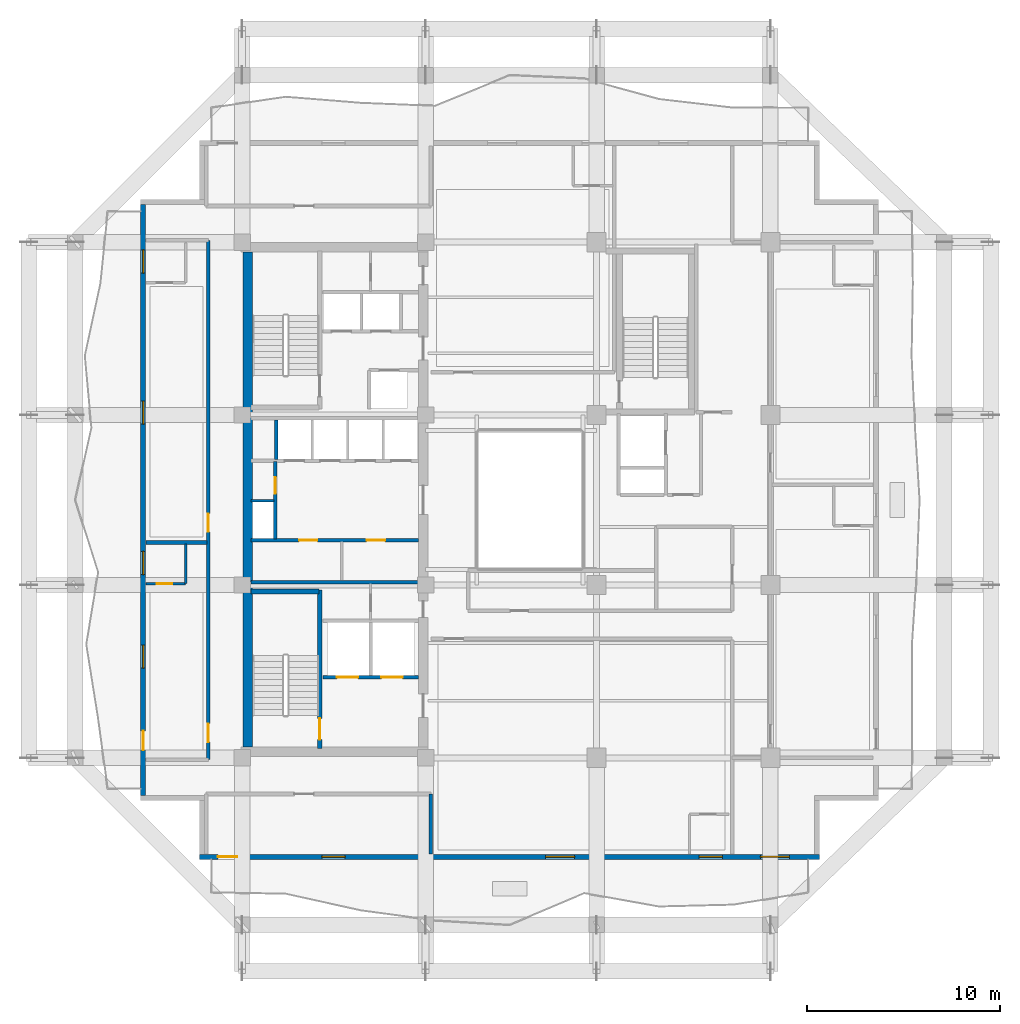
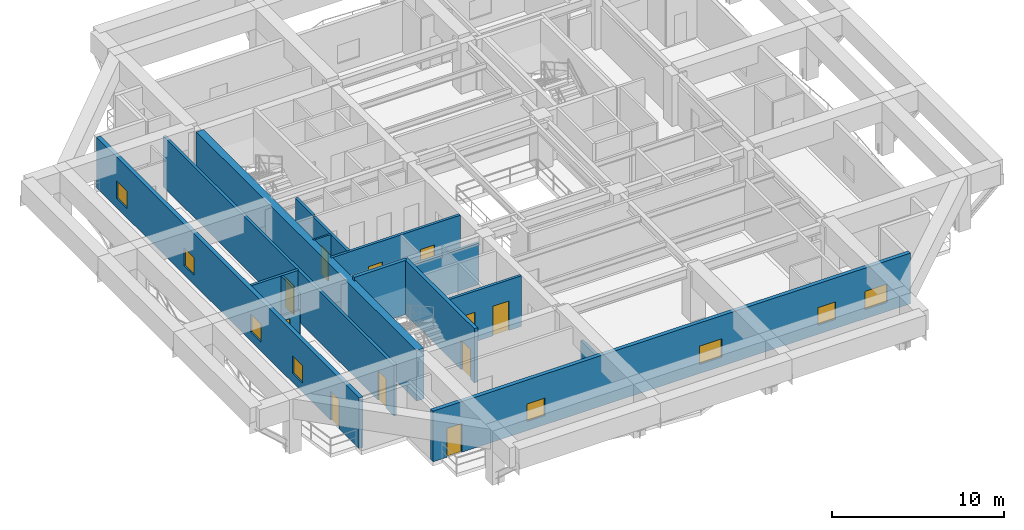
# One storey, part 3 of 11: 16 walls, 11 doors, 8 windows, 19 openings.
"""IFC4 building model written with IfcOpenShell, lengths in metres."""

from ifc_helpers import new_model, si_unit, direction, frame, frame_2d, origin, place, context, subcontext, project, spatial, rectangle, extrude, material, layer, layer_set, type_object, element, fill, save


model = new_model("IFC4")

# Units and contexts
model_context = context("Model", 3, precision=1e-05, world=origin(), true_north=direction((0.0, 1.0)))
body_context = subcontext(model_context, "Body", "Model", "MODEL_VIEW")
ifc_project = project(units=[si_unit("LENGTHUNIT", "METRE"), si_unit("AREAUNIT", "SQUARE_METRE"), si_unit("VOLUMEUNIT", "CUBIC_METRE"), si_unit("PLANEANGLEUNIT", "RADIAN"), si_unit("MASSUNIT", "GRAM", prefix="KILO")], contexts=[model_context])

# Site, building, storey
site_placement = place(None, origin())
site = spatial("IfcSite", under=ifc_project, at=site_placement, CompositionType="ELEMENT")
building_placement = place(site_placement, origin())
building = spatial("IfcBuilding", under=site, at=building_placement, Name="Kundavana Baori Tower", CompositionType="ELEMENT")
storey_placement = place(building_placement, frame((0.0, 0.0, 154.050048828125)))
storey = spatial("IfcBuildingStorey", under=building, at=storey_placement, Name="L37", CompositionType="ELEMENT", Elevation=154.050048828125)

# Wall, opening, door
ifc_material_1 = material(Name="Concrete C50/60", Category="concrete")
ifc_layer_1 = layer(ifc_material_1, 0.39990234375, Name="WL-CORE-400")
ifc_layer_set_1 = layer_set([ifc_layer_1], Name="Concrete C50/60")
wall_type_1 = type_object("IfcWallType", Name="WL-CORE-400", PredefinedType="SHEAR", material=ifc_layer_set_1)
wall_1_placement = place(storey_placement, frame((19.4599609375, 15.739990234375, 0.0), z_axis=(0.0, 0.0, 1.0), x_axis=(0.0, 1.0, 0.0)))
wall_1 = element("IfcWall", 1, at=wall_1_placement, inside=storey, type_object=wall_type_1, Name="WL-L37-ST1-E", PredefinedType="SHEAR", context=body_context, shape_type="SweptSolid", body=[
    extrude(rectangle(XDim=8.199951171875, YDim=0.239990234375, at=frame_2d((4.10009765625, 0.0))), origin(), (0.0, 0.0, 1.0), 3.849853515625),
])
opening_1_placement = place(wall_1_placement, frame((0.449951171875, 0.0, 0.0)))
opening_1 = element("IfcOpeningElement", 2, at=opening_1_placement, cuts=wall_1, Name="Opening FD-110", PredefinedType="OPENING", context=body_context, shape_type="SweptSolid", body=[
    extrude(rectangle(XDim=1.10009765625, YDim=2.10009765625, at=frame_2d((0.550048828125, 1.050048828125))), frame((0.0, 0.1298828125, 0.0), z_axis=(0.0, -1.0, 0.0), x_axis=(1.0, 0.0, 0.0)), (0.0, 0.0, 1.0), 0.260009765625),
])
ifc_material_2 = material(Name="Galvanised Steel Fire-Rated Door Leaf", Category="steel")
door_type_1 = type_object("IfcDoorType", Name="DR-FD120-1100", OperationType="NOTDEFINED", PredefinedType="DOOR", material=ifc_material_2)
door_1_placement = place(opening_1_placement, origin())
door_1 = element("IfcDoor", 3, at=door_1_placement, inside=storey, type_object=door_type_1, Name="DR-L37-ST1", OperationType="SINGLE_SWING_LEFT", OverallHeight=2.10009765625, OverallWidth=1.10009765625, PredefinedType="DOOR", context=body_context, shape_type="SweptSolid", body=[
    extrude(rectangle(XDim=1.10009765625, YDim=2.10009765625, at=frame_2d((0.550048828125, 1.050048828125))), frame((0.0, 0.02490234375, 0.0), z_axis=(0.0, -1.0, 0.0), x_axis=(1.0, 0.0, 0.0)), (0.0, 0.0, 1.0), 0.050048828125),
])
fill(opening_1, door_1)

# Walls
wall_2_placement = place(storey_placement, frame((15.89990234375, 23.860107421875, 0.0), z_axis=(0.0, 0.0, 1.0), x_axis=(1.0, 0.0, 0.0)))
element("IfcWall", 4, at=wall_2_placement, inside=storey, type_object=wall_type_1, Name="WL-L37-ST1-N", PredefinedType="SHEAR", context=body_context, shape_type="SweptSolid", body=[
    extrude(rectangle(XDim=3.52001953125, YDim=0.239990234375, at=frame_2d((1.760009765625, 0.0))), origin(), (0.0, 0.0, 1.0), 3.849853515625),
])
ifc_material_3 = material(Name="Concrete C50/60", Category="concrete")
ifc_layer_2 = layer(ifc_material_3, 0.5, Name="WL-CORE-500")
ifc_layer_set_2 = layer_set([ifc_layer_2], Name="Concrete C50/60")
wall_type_2 = type_object("IfcWallType", Name="WL-CORE-500", PredefinedType="SHEAR", material=ifc_layer_set_2)
wall_3_placement = place(storey_placement, frame((15.739990234375, 15.81005859375, 0.0), z_axis=(0.0, 0.0, 1.0), x_axis=(0.0, 1.0, 0.0)))
element("IfcWall", 5, at=wall_3_placement, inside=storey, type_object=wall_type_2, Name="L37 Offset Core West Shear Wall", PredefinedType="SHEAR", context=body_context, shape_type="SweptSolid", body=[
    extrude(rectangle(XDim=25.6298828125, YDim=0.5, at=frame_2d((12.81494140625, 0.0))), origin(), (0.0, 0.0, 1.0), 3.599853515625),
])

# Wall, openings, door, windows
ifc_material_4 = material(Name="Kiln-Fired Terracotta Brick-Slip Masonry on Concrete C40/50", Category="masonry")
ifc_layer_3 = layer(ifc_material_4, 0.260009765625, Name="WL-EXT-BRK-260")
ifc_layer_set_3 = layer_set([ifc_layer_3], Name="Kiln-Fired Terracotta Brick-Slip Masonry on Concrete C40/50")
wall_type_3 = type_object("IfcWallType", Name="WL-EXT-BRK-260", PredefinedType="SOLIDWALL", material=ifc_layer_set_3)
wall_4_placement = place(storey_placement, frame((13.25, 10.1298828125, 0.0), z_axis=(0.0, 0.0, 1.0), x_axis=(1.0, 0.0, 0.0)))
wall_4 = element("IfcWall", 6, at=wall_4_placement, inside=storey, type_object=wall_type_3, Name="L37 Exterior Insulated Facade Wall 01", PredefinedType="SOLIDWALL", context=body_context, shape_type="SweptSolid", body=[
    extrude(rectangle(XDim=32.10009765625, YDim=0.260009765625, at=frame_2d((16.050048828125, 0.0))), origin(), (0.0, 0.0, 1.0), 3.599853515625),
])
opening_2_placement = place(wall_4_placement, frame((0.949951171875, 0.0, 0.0)))
opening_2 = element("IfcOpeningElement", 7, at=opening_2_placement, cuts=wall_4, Name="Opening BD-1", PredefinedType="OPENING", context=body_context, shape_type="SweptSolid", body=[
    extrude(rectangle(XDim=1.0, YDim=2.050048828125, at=frame_2d((0.5, 1.02490234375))), frame((0.0, 0.14013671875, 0.0), z_axis=(0.0, -1.0, 0.0), x_axis=(1.0, 0.0, 0.0)), (0.0, 0.0, 1.0), 0.280029296875),
])
opening_3_placement = place(wall_4_placement, frame((6.330078125, 0.0, 0.64990234375)))
opening_3 = element("IfcOpeningElement", 8, at=opening_3_placement, cuts=wall_4, Name="Opening W-12", PredefinedType="OPENING", context=body_context, shape_type="SweptSolid", body=[
    extrude(rectangle(XDim=1.199951171875, YDim=1.25, at=frame_2d((0.60009765625, 0.625))), frame((0.0, 0.14013671875, 0.0), z_axis=(0.0, -1.0, 0.0), x_axis=(1.0, 0.0, 0.0)), (0.0, 0.0, 1.0), 0.280029296875),
])
opening_4_placement = place(wall_4_placement, frame((17.9150390625, 0.0, 0.64990234375)))
opening_4 = element("IfcOpeningElement", 9, at=opening_4_placement, cuts=wall_4, Name="Opening W-11", PredefinedType="OPENING", context=body_context, shape_type="SweptSolid", body=[
    extrude(rectangle(XDim=1.5, YDim=1.300048828125, at=frame_2d((0.75, 0.64990234375))), frame((0.0, 0.14013671875, 0.0), z_axis=(0.0, -1.0, 0.0), x_axis=(1.0, 0.0, 0.0)), (0.0, 0.0, 1.0), 0.280029296875),
])
opening_5_placement = place(wall_4_placement, frame((25.864990234375, 0.0, 0.64990234375)))
opening_5 = element("IfcOpeningElement", 10, at=opening_5_placement, cuts=wall_4, Name="Opening W-12", PredefinedType="OPENING", context=body_context, shape_type="SweptSolid", body=[
    extrude(rectangle(XDim=1.199951171875, YDim=1.25, at=frame_2d((0.60009765625, 0.625))), frame((0.0, 0.14013671875, 0.0), z_axis=(0.0, -1.0, 0.0), x_axis=(1.0, 0.0, 0.0)), (0.0, 0.0, 1.0), 0.280029296875),
])
opening_6_placement = place(wall_4_placement, frame((29.030029296875, 0.0, 0.64990234375)))
opening_6 = element("IfcOpeningElement", 11, at=opening_6_placement, cuts=wall_4, Name="Opening W-11", PredefinedType="OPENING", context=body_context, shape_type="SweptSolid", body=[
    extrude(rectangle(XDim=1.5, YDim=1.300048828125, at=frame_2d((0.75, 0.64990234375))), frame((0.0, 0.14013671875, 0.0), z_axis=(0.0, -1.0, 0.0), x_axis=(1.0, 0.0, 0.0)), (0.0, 0.0, 1.0), 0.280029296875),
])
ifc_material_5 = material(Name="Architectural Patinated Bronze Metalwork")
door_type_2 = type_object("IfcDoorType", Name="DR-EXT-LOG-1000", OperationType="NOTDEFINED", PredefinedType="DOOR", material=ifc_material_5)
door_2_placement = place(opening_2_placement, frame((1.0, 0.0, 0.0), z_axis=(0.0, 0.0, 1.0), x_axis=(-1.0, 0.0, 0.0)))
door_2 = element("IfcDoor", 12, at=door_2_placement, inside=storey, type_object=door_type_2, Name="L37 Loggia Balcony Access Door S", OperationType="SINGLE_SWING_LEFT", OverallHeight=2.050048828125, OverallWidth=1.0, PredefinedType="DOOR", context=body_context, shape_type="SweptSolid", body=[
    extrude(rectangle(XDim=1.0, YDim=2.050048828125, at=frame_2d((0.5, 1.02490234375))), frame((0.0, 0.02490234375, 0.0), z_axis=(0.0, -1.0, 0.0), x_axis=(1.0, 0.0, 0.0)), (0.0, 0.0, 1.0), 0.050048828125),
])
fill(opening_2, door_2)
ifc_material_6 = material(Name="Double-Glazed Solar-Control Low-E Insulated Glass", Category="glass")
window_type_1 = type_object("IfcWindowType", Name="WIN-TRN-1200x1250", PartitioningType="SINGLE_PANEL", PredefinedType="WINDOW", material=ifc_material_6)
window_1_placement = place(opening_3_placement, origin())
window_1 = element("IfcWindow", 13, at=window_1_placement, inside=storey, type_object=window_type_1, Name="L37 Recessed Loggia Window S-1", OverallHeight=1.25, OverallWidth=1.199951171875, PartitioningType="SINGLE_PANEL", PredefinedType="WINDOW", context=body_context, shape_type="SweptSolid", body=[
    extrude(rectangle(XDim=1.199951171875, YDim=1.25, at=frame_2d((0.60009765625, 0.625))), frame((0.0, 0.030029296875, 0.0), z_axis=(0.0, -1.0, 0.0), x_axis=(1.0, 0.0, 0.0)), (0.0, 0.0, 1.0), 0.06005859375),
])
fill(opening_3, window_1)
window_2_placement = place(opening_5_placement, origin())
window_2 = element("IfcWindow", 14, at=window_2_placement, inside=storey, type_object=window_type_1, Name="L37 Recessed Loggia Window S-3", OverallHeight=1.25, OverallWidth=1.199951171875, PartitioningType="SINGLE_PANEL", PredefinedType="WINDOW", context=body_context, shape_type="SweptSolid", body=[
    extrude(rectangle(XDim=1.199951171875, YDim=1.25, at=frame_2d((0.60009765625, 0.625))), frame((0.0, 0.030029296875, 0.0), z_axis=(0.0, -1.0, 0.0), x_axis=(1.0, 0.0, 0.0)), (0.0, 0.0, 1.0), 0.06005859375),
])
fill(opening_5, window_2)
ifc_material_7 = material(Name="Double-Glazed Solar-Control Low-E Insulated Glass", Category="glass")
window_type_2 = type_object("IfcWindowType", Name="WIN-TRN-1500x1300", PartitioningType="SINGLE_PANEL", PredefinedType="WINDOW", material=ifc_material_7)
window_3_placement = place(opening_4_placement, origin())
window_3 = element("IfcWindow", 15, at=window_3_placement, inside=storey, type_object=window_type_2, Name="L37 Recessed Loggia Window S-2", OverallHeight=1.300048828125, OverallWidth=1.5, PartitioningType="SINGLE_PANEL", PredefinedType="WINDOW", context=body_context, shape_type="SweptSolid", body=[
    extrude(rectangle(XDim=1.5, YDim=1.300048828125, at=frame_2d((0.75, 0.64990234375))), frame((0.0, 0.030029296875, 0.0), z_axis=(0.0, -1.0, 0.0), x_axis=(1.0, 0.0, 0.0)), (0.0, 0.0, 1.0), 0.06005859375),
])
fill(opening_4, window_3)
window_4_placement = place(opening_6_placement, origin())
window_4 = element("IfcWindow", 16, at=window_4_placement, inside=storey, type_object=window_type_2, Name="L37 Recessed Loggia Window S-4", OverallHeight=1.300048828125, OverallWidth=1.5, PartitioningType="SINGLE_PANEL", PredefinedType="WINDOW", context=body_context, shape_type="SweptSolid", body=[
    extrude(rectangle(XDim=1.5, YDim=1.300048828125, at=frame_2d((0.75, 0.64990234375))), frame((0.0, 0.030029296875, 0.0), z_axis=(0.0, -1.0, 0.0), x_axis=(1.0, 0.0, 0.0)), (0.0, 0.0, 1.0), 0.06005859375),
])
fill(opening_6, window_4)

wall_5_placement = place(storey_placement, frame((10.330078125, 43.889892578125, 0.0), z_axis=(0.0, 0.0, 1.0), x_axis=(0.0, -1.0, 0.0)))
wall_5 = element("IfcWall", 17, at=wall_5_placement, inside=storey, type_object=wall_type_3, Name="L37 Exterior Insulated Facade Wall 10", PredefinedType="SOLIDWALL", context=body_context, shape_type="SweptSolid", body=[
    extrude(rectangle(XDim=30.579833984375, YDim=0.260009765625, at=frame_2d((15.2900390625, 0.0))), origin(), (0.0, 0.0, 1.0), 3.599853515625),
])
opening_7_placement = place(wall_5_placement, frame((27.239990234375, 0.0, 0.0)))
opening_7 = element("IfcOpeningElement", 18, at=opening_7_placement, cuts=wall_5, Name="Opening BD-1", PredefinedType="OPENING", context=body_context, shape_type="SweptSolid", body=[
    extrude(rectangle(XDim=1.0, YDim=2.050048828125, at=frame_2d((0.5, 1.02490234375))), frame((0.0, 0.14013671875, 0.0), z_axis=(0.0, -1.0, 0.0), x_axis=(1.0, 0.0, 0.0)), (0.0, 0.0, 1.0), 0.280029296875),
])
opening_8_placement = place(wall_5_placement, frame((22.800048828125, 0.0, 0.64990234375)))
opening_8 = element("IfcOpeningElement", 19, at=opening_8_placement, cuts=wall_5, Name="Opening W-12", PredefinedType="OPENING", context=body_context, shape_type="SweptSolid", body=[
    extrude(rectangle(XDim=1.199951171875, YDim=1.25, at=frame_2d((0.60009765625, 0.625))), frame((0.0, 0.14013671875, 0.0), z_axis=(0.0, -1.0, 0.0), x_axis=(1.0, 0.0, 0.0)), (0.0, 0.0, 1.0), 0.280029296875),
])
opening_9_placement = place(wall_5_placement, frame((17.955078125, 0.0, 0.64990234375)))
opening_9 = element("IfcOpeningElement", 20, at=opening_9_placement, cuts=wall_5, Name="Opening W-12", PredefinedType="OPENING", context=body_context, shape_type="SweptSolid", body=[
    extrude(rectangle(XDim=1.199951171875, YDim=1.25, at=frame_2d((0.60009765625, 0.625))), frame((0.0, 0.14013671875, 0.0), z_axis=(0.0, -1.0, 0.0), x_axis=(1.0, 0.0, 0.0)), (0.0, 0.0, 1.0), 0.280029296875),
])
opening_10_placement = place(wall_5_placement, frame((10.1650390625, 0.0, 0.64990234375)))
opening_10 = element("IfcOpeningElement", 21, at=opening_10_placement, cuts=wall_5, Name="Opening W-12", PredefinedType="OPENING", context=body_context, shape_type="SweptSolid", body=[
    extrude(rectangle(XDim=1.199951171875, YDim=1.25, at=frame_2d((0.60009765625, 0.625))), frame((0.0, 0.14013671875, 0.0), z_axis=(0.0, -1.0, 0.0), x_axis=(1.0, 0.0, 0.0)), (0.0, 0.0, 1.0), 0.280029296875),
])
opening_11_placement = place(wall_5_placement, frame((2.344970703125, 0.0, 0.64990234375)))
opening_11 = element("IfcOpeningElement", 22, at=opening_11_placement, cuts=wall_5, Name="Opening W-12", PredefinedType="OPENING", context=body_context, shape_type="SweptSolid", body=[
    extrude(rectangle(XDim=1.199951171875, YDim=1.25, at=frame_2d((0.60009765625, 0.625))), frame((0.0, 0.14013671875, 0.0), z_axis=(0.0, -1.0, 0.0), x_axis=(1.0, 0.0, 0.0)), (0.0, 0.0, 1.0), 0.280029296875),
])
door_3_placement = place(opening_7_placement, frame((1.0, 0.0, 0.0), z_axis=(0.0, 0.0, 1.0), x_axis=(-1.0, 0.0, 0.0)))
door_3 = element("IfcDoor", 23, at=door_3_placement, inside=storey, type_object=door_type_2, Name="L37 Loggia Balcony Access Door W", OperationType="SINGLE_SWING_RIGHT", OverallHeight=2.050048828125, OverallWidth=1.0, PredefinedType="DOOR", context=body_context, shape_type="SweptSolid", body=[
    extrude(rectangle(XDim=1.0, YDim=2.050048828125, at=frame_2d((0.5, 1.02490234375))), frame((0.0, 0.02490234375, 0.0), z_axis=(0.0, -1.0, 0.0), x_axis=(1.0, 0.0, 0.0)), (0.0, 0.0, 1.0), 0.050048828125),
])
fill(opening_7, door_3)
window_5_placement = place(opening_8_placement, origin())
window_5 = element("IfcWindow", 24, at=window_5_placement, inside=storey, type_object=window_type_1, Name="L37 Recessed Loggia Window W-1", OverallHeight=1.25, OverallWidth=1.199951171875, PartitioningType="SINGLE_PANEL", PredefinedType="WINDOW", context=body_context, shape_type="SweptSolid", body=[
    extrude(rectangle(XDim=1.199951171875, YDim=1.25, at=frame_2d((0.60009765625, 0.625))), frame((0.0, 0.030029296875, 0.0), z_axis=(0.0, -1.0, 0.0), x_axis=(1.0, 0.0, 0.0)), (0.0, 0.0, 1.0), 0.06005859375),
])
fill(opening_8, window_5)
window_6_placement = place(opening_9_placement, origin())
window_6 = element("IfcWindow", 25, at=window_6_placement, inside=storey, type_object=window_type_1, Name="L37 Recessed Loggia Window W-2", OverallHeight=1.25, OverallWidth=1.199951171875, PartitioningType="SINGLE_PANEL", PredefinedType="WINDOW", context=body_context, shape_type="SweptSolid", body=[
    extrude(rectangle(XDim=1.199951171875, YDim=1.25, at=frame_2d((0.60009765625, 0.625))), frame((0.0, 0.030029296875, 0.0), z_axis=(0.0, -1.0, 0.0), x_axis=(1.0, 0.0, 0.0)), (0.0, 0.0, 1.0), 0.06005859375),
])
fill(opening_9, window_6)
window_7_placement = place(opening_10_placement, origin())
window_7 = element("IfcWindow", 26, at=window_7_placement, inside=storey, type_object=window_type_1, Name="L37 Recessed Loggia Window W-3", OverallHeight=1.25, OverallWidth=1.199951171875, PartitioningType="SINGLE_PANEL", PredefinedType="WINDOW", context=body_context, shape_type="SweptSolid", body=[
    extrude(rectangle(XDim=1.199951171875, YDim=1.25, at=frame_2d((0.60009765625, 0.625))), frame((0.0, 0.030029296875, 0.0), z_axis=(0.0, -1.0, 0.0), x_axis=(1.0, 0.0, 0.0)), (0.0, 0.0, 1.0), 0.06005859375),
])
fill(opening_10, window_7)
window_8_placement = place(opening_11_placement, origin())
window_8 = element("IfcWindow", 27, at=window_8_placement, inside=storey, type_object=window_type_1, Name="L37 Recessed Loggia Window W-4", OverallHeight=1.25, OverallWidth=1.199951171875, PartitioningType="SINGLE_PANEL", PredefinedType="WINDOW", context=body_context, shape_type="SweptSolid", body=[
    extrude(rectangle(XDim=1.199951171875, YDim=1.25, at=frame_2d((0.60009765625, 0.625))), frame((0.0, 0.030029296875, 0.0), z_axis=(0.0, -1.0, 0.0), x_axis=(1.0, 0.0, 0.0)), (0.0, 0.0, 1.0), 0.06005859375),
])
fill(opening_11, window_8)

# Wall
ifc_material_8 = material(Name="Acoustic Gypsum Plasterboard on Galvanised Steel Studs", Category="steel")
ifc_layer_4 = layer(ifc_material_8, 0.1201171875, Name="WL-PART-120")
ifc_layer_set_4 = layer_set([ifc_layer_4], Name="Acoustic Gypsum Plasterboard on Galvanised Steel Studs")
wall_type_4 = type_object("IfcWallType", Name="WL-PART-120", PredefinedType="PARTITIONING", material=ifc_layer_set_4)
wall_6_placement = place(storey_placement, frame((15.89990234375, 28.56005859375, 0.0), z_axis=(0.0, 0.0, 1.0), x_axis=(1.0, 0.0, 0.0)))
element("IfcWall", 28, at=wall_6_placement, inside=storey, type_object=wall_type_4, Name="WL-L37-RSRW-N", PredefinedType="PARTITIONING", context=body_context, shape_type="SweptSolid", body=[
    extrude(rectangle(XDim=1.2001953125, YDim=0.1201171875, at=frame_2d((0.60009765625, 0.0))), origin(), (0.0, 0.0, 1.0), 3.599853515625),
])

# Wall, openings, doors
ifc_material_9 = material(Name="Autoclaved Aerated Concrete Blockwork Masonry", Category="masonry")
ifc_layer_5 = layer(ifc_material_9, 0.18505859375, Name="WL-PART-180")
ifc_layer_set_5 = layer_set([ifc_layer_5], Name="Autoclaved Aerated Concrete Blockwork Masonry")
wall_type_5 = type_object("IfcWallType", Name="WL-PART-180", PredefinedType="SOLIDWALL", material=ifc_layer_set_5)
wall_7_placement = place(storey_placement, frame((13.699951171875, 15.159912109375, 0.0), z_axis=(0.0, 0.0, 1.0), x_axis=(0.0, 1.0, 0.0)))
wall_7 = element("IfcWall", 29, at=wall_7_placement, inside=storey, type_object=wall_type_5, Name="WL-L37-HW", PredefinedType="SOLIDWALL", context=body_context, shape_type="SweptSolid", body=[
    extrude(rectangle(XDim=26.880126953125, YDim=0.18505859375, at=frame_2d((13.43994140625, 0.0))), origin(), (0.0, 0.0, 1.0), 3.599853515625),
])
opening_12_placement = place(wall_7_placement, frame((0.909912109375, 0.0, 0.0)))
opening_12 = element("IfcOpeningElement", 30, at=opening_12_placement, cuts=wall_7, Name="Opening FD-095", PredefinedType="OPENING", context=body_context, shape_type="SweptSolid", body=[
    extrude(rectangle(XDim=0.949951171875, YDim=2.10009765625, at=frame_2d((0.47509765625, 1.050048828125))), frame((0.0, 0.1025390625, 0.0), z_axis=(0.0, -1.0, 0.0), x_axis=(1.0, 0.0, 0.0)), (0.0, 0.0, 1.0), 0.205078125),
])
opening_13_placement = place(wall_7_placement, frame((11.7900390625, 0.0, 0.0)))
opening_13 = element("IfcOpeningElement", 31, at=opening_13_placement, cuts=wall_7, Name="Opening FD-095", PredefinedType="OPENING", context=body_context, shape_type="SweptSolid", body=[
    extrude(rectangle(XDim=0.949951171875, YDim=2.10009765625, at=frame_2d((0.47509765625, 1.050048828125))), frame((0.0, 0.1025390625, 0.0), z_axis=(0.0, -1.0, 0.0), x_axis=(1.0, 0.0, 0.0)), (0.0, 0.0, 1.0), 0.205078125),
])
ifc_material_10 = material(Name="Engineered Teak Fire-Rated Timber Door Leaf", Category="wood")
door_type_3 = type_object("IfcDoorType", Name="DR-FD60-950", OperationType="NOTDEFINED", PredefinedType="DOOR", material=ifc_material_10)
door_4_placement = place(opening_12_placement, origin())
door_4 = element("IfcDoor", 32, at=door_4_placement, inside=storey, type_object=door_type_3, Name="DR-L37-HK-W1-ENT", OperationType="SINGLE_SWING_LEFT", OverallHeight=2.10009765625, OverallWidth=0.949951171875, PredefinedType="DOOR", context=body_context, shape_type="SweptSolid", body=[
    extrude(rectangle(XDim=0.949951171875, YDim=2.10009765625, at=frame_2d((0.47509765625, 1.050048828125))), frame((0.0, 0.02490234375, 0.0), z_axis=(0.0, -1.0, 0.0), x_axis=(1.0, 0.0, 0.0)), (0.0, 0.0, 1.0), 0.050048828125),
])
fill(opening_12, door_4)
door_5_placement = place(opening_13_placement, origin())
door_5 = element("IfcDoor", 33, at=door_5_placement, inside=storey, type_object=door_type_3, Name="DR-L37-HK-W2-ENT", OperationType="SINGLE_SWING_LEFT", OverallHeight=2.10009765625, OverallWidth=0.949951171875, PredefinedType="DOOR", context=body_context, shape_type="SweptSolid", body=[
    extrude(rectangle(XDim=0.949951171875, YDim=2.10009765625, at=frame_2d((0.47509765625, 1.050048828125))), frame((0.0, 0.02490234375, 0.0), z_axis=(0.0, -1.0, 0.0), x_axis=(1.0, 0.0, 0.0)), (0.0, 0.0, 1.0), 0.050048828125),
])
fill(opening_13, door_5)

# Walls
wall_8_placement = place(storey_placement, frame((25.219970703125, 10.280029296875, 0.0), z_axis=(0.0, 0.0, 1.0), x_axis=(0.0, 1.0, 0.0)))
element("IfcWall", 34, at=wall_8_placement, inside=storey, type_object=wall_type_5, Name="WL-L37-HSCE", PredefinedType="SOLIDWALL", context=body_context, shape_type="SweptSolid", body=[
    extrude(rectangle(XDim=3.099853515625, YDim=0.18505859375, at=frame_2d((1.5498046875, 0.0))), origin(), (0.0, 0.0, 1.0), 2.429931640625),
])
wall_9_placement = place(storey_placement, frame((10.47998046875, 26.39990234375, 0.0), z_axis=(0.0, 0.0, 1.0), x_axis=(1.0, 0.0, 0.0)))
element("IfcWall", 35, at=wall_9_placement, inside=storey, type_object=wall_type_5, Name="WL-L37-HWD1", PredefinedType="SOLIDWALL", context=body_context, shape_type="SweptSolid", body=[
    extrude(rectangle(XDim=3.159912109375, YDim=0.18505859375, at=frame_2d((1.580078125, 0.0))), origin(), (0.0, 0.0, 1.0), 3.599853515625),
])

# Wall, openings, doors
ifc_material_11 = material(Name="Autoclaved Aerated Concrete Blockwork Masonry", Category="masonry")
ifc_layer_6 = layer(ifc_material_11, 0.179931640625, Name="WL-SHAFT-180")
ifc_layer_set_6 = layer_set([ifc_layer_6], Name="Autoclaved Aerated Concrete Blockwork Masonry")
wall_type_6 = type_object("IfcWallType", Name="WL-SHAFT-180", PredefinedType="SOLIDWALL", material=ifc_layer_set_6)
wall_10_placement = place(storey_placement, frame((19.639892578125, 19.419921875, 0.0), z_axis=(0.0, 0.0, 1.0), x_axis=(1.0, 0.0, 0.0)))
wall_10 = element("IfcWall", 36, at=wall_10_placement, inside=storey, type_object=wall_type_6, Name="WL-L37-FFL-S", PredefinedType="SOLIDWALL", context=body_context, shape_type="SweptSolid", body=[
    extrude(rectangle(XDim=4.940185546875, YDim=0.179931640625, at=frame_2d((2.47021484375, 0.0))), origin(), (0.0, 0.0, 1.0), 3.599853515625),
])
opening_14_placement = place(wall_10_placement, frame((0.719970703125, 0.0, 0.0)))
opening_14 = element("IfcOpeningElement", 37, at=opening_14_placement, cuts=wall_10, Name="Opening LD-110", PredefinedType="OPENING", context=body_context, shape_type="SweptSolid", body=[
    extrude(rectangle(XDim=1.10009765625, YDim=2.10009765625, at=frame_2d((0.550048828125, 1.050048828125))), frame((0.0, 0.10009765625, 0.0), z_axis=(0.0, -1.0, 0.0), x_axis=(1.0, 0.0, 0.0)), (0.0, 0.0, 1.0), 0.199951171875),
])
opening_15_placement = place(wall_10_placement, frame((3.02001953125, 0.0, 0.0)))
opening_15 = element("IfcOpeningElement", 38, at=opening_15_placement, cuts=wall_10, Name="Opening LD-110", PredefinedType="OPENING", context=body_context, shape_type="SweptSolid", body=[
    extrude(rectangle(XDim=1.10009765625, YDim=2.10009765625, at=frame_2d((0.550048828125, 1.050048828125))), frame((0.0, 0.10009765625, 0.0), z_axis=(0.0, -1.0, 0.0), x_axis=(1.0, 0.0, 0.0)), (0.0, 0.0, 1.0), 0.199951171875),
])
ifc_material_12 = material(Name="Galvanised Steel Fire-Rated Door Leaf", Category="steel")
door_type_4 = type_object("IfcDoorType", Name="DR-SLIDE-LD1100", OperationType="NOTDEFINED", PredefinedType="DOOR", material=ifc_material_12)
door_6_placement = place(opening_14_placement, origin())
door_6 = element("IfcDoor", 39, at=door_6_placement, inside=storey, type_object=door_type_4, Name="DR-L37-LD-FFL-1", OperationType="DOUBLE_DOOR_SLIDING", OverallHeight=2.10009765625, OverallWidth=1.10009765625, PredefinedType="DOOR", context=body_context, shape_type="SweptSolid", body=[
    extrude(rectangle(XDim=1.10009765625, YDim=2.10009765625, at=frame_2d((0.550048828125, 1.050048828125))), frame((0.0, 0.02490234375, 0.0), z_axis=(0.0, -1.0, 0.0), x_axis=(1.0, 0.0, 0.0)), (0.0, 0.0, 1.0), 0.050048828125),
])
fill(opening_14, door_6)
door_7_placement = place(opening_15_placement, origin())
door_7 = element("IfcDoor", 40, at=door_7_placement, inside=storey, type_object=door_type_4, Name="DR-L37-LD-FFL-2", OperationType="DOUBLE_DOOR_SLIDING", OverallHeight=2.10009765625, OverallWidth=1.10009765625, PredefinedType="DOOR", context=body_context, shape_type="SweptSolid", body=[
    extrude(rectangle(XDim=1.10009765625, YDim=2.10009765625, at=frame_2d((0.550048828125, 1.050048828125))), frame((0.0, 0.02490234375, 0.0), z_axis=(0.0, -1.0, 0.0), x_axis=(1.0, 0.0, 0.0)), (0.0, 0.0, 1.0), 0.050048828125),
])
fill(opening_15, door_7)

wall_11_placement = place(storey_placement, frame((15.89990234375, 26.52001953125, 0.0), z_axis=(0.0, 0.0, 1.0), x_axis=(1.0, 0.0, 0.0)))
wall_11 = element("IfcWall", 41, at=wall_11_placement, inside=storey, type_object=wall_type_6, Name="WL-L37-LPLOW-N", PredefinedType="SOLIDWALL", context=body_context, shape_type="SweptSolid", body=[
    extrude(rectangle(XDim=8.68017578125, YDim=0.179931640625, at=frame_2d((4.340087890625, 0.0))), origin(), (0.0, 0.0, 1.0), 3.599853515625),
])
opening_16_placement = place(wall_11_placement, frame((2.5, 0.0, 0.0)))
opening_16 = element("IfcOpeningElement", 42, at=opening_16_placement, cuts=wall_11, Name="Opening FD-095", PredefinedType="OPENING", context=body_context, shape_type="SweptSolid", body=[
    extrude(rectangle(XDim=0.949951171875, YDim=2.10009765625, at=frame_2d((0.47509765625, 1.050048828125))), frame((0.0, 0.10009765625, 0.0), z_axis=(0.0, -1.0, 0.0), x_axis=(1.0, 0.0, 0.0)), (0.0, 0.0, 1.0), 0.199951171875),
])
opening_17_placement = place(wall_11_placement, frame((6.0, 0.0, 0.0)))
opening_17 = element("IfcOpeningElement", 43, at=opening_17_placement, cuts=wall_11, Name="Opening FD-095", PredefinedType="OPENING", context=body_context, shape_type="SweptSolid", body=[
    extrude(rectangle(XDim=0.949951171875, YDim=2.10009765625, at=frame_2d((0.47509765625, 1.050048828125))), frame((0.0, 0.10009765625, 0.0), z_axis=(0.0, -1.0, 0.0), x_axis=(1.0, 0.0, 0.0)), (0.0, 0.0, 1.0), 0.199951171875),
])
door_8_placement = place(opening_16_placement, origin())
door_8 = element("IfcDoor", 44, at=door_8_placement, inside=storey, type_object=door_type_3, Name="DR-L37-FRLOW1", OperationType="SINGLE_SWING_LEFT", OverallHeight=2.10009765625, OverallWidth=0.949951171875, PredefinedType="DOOR", context=body_context, shape_type="SweptSolid", body=[
    extrude(rectangle(XDim=0.949951171875, YDim=2.10009765625, at=frame_2d((0.47509765625, 1.050048828125))), frame((0.0, 0.02490234375, 0.0), z_axis=(0.0, -1.0, 0.0), x_axis=(1.0, 0.0, 0.0)), (0.0, 0.0, 1.0), 0.050048828125),
])
fill(opening_16, door_8)
door_9_placement = place(opening_17_placement, origin())
door_9 = element("IfcDoor", 45, at=door_9_placement, inside=storey, type_object=door_type_3, Name="DR-L37-FRLOW2", OperationType="SINGLE_SWING_RIGHT", OverallHeight=2.10009765625, OverallWidth=0.949951171875, PredefinedType="DOOR", context=body_context, shape_type="SweptSolid", body=[
    extrude(rectangle(XDim=0.949951171875, YDim=2.10009765625, at=frame_2d((0.47509765625, 1.050048828125))), frame((0.0, 0.02490234375, 0.0), z_axis=(0.0, -1.0, 0.0), x_axis=(1.0, 0.0, 0.0)), (0.0, 0.0, 1.0), 0.050048828125),
])
fill(opening_17, door_9)

# Wall
wall_12_placement = place(storey_placement, frame((15.89990234375, 24.330078125, 0.0), z_axis=(0.0, 0.0, 1.0), x_axis=(1.0, 0.0, 0.0)))
element("IfcWall", 46, at=wall_12_placement, inside=storey, type_object=wall_type_6, Name="WL-L37-LPLOW-S", PredefinedType="SOLIDWALL", context=body_context, shape_type="SweptSolid", body=[
    extrude(rectangle(XDim=8.68017578125, YDim=0.179931640625, at=frame_2d((4.340087890625, 0.0))), origin(), (0.0, 0.0, 1.0), 2.949951171875),
])

# Wall, opening, door
wall_13_placement = place(storey_placement, frame((17.159912109375, 26.580078125, 0.0), z_axis=(0.0, 0.0, 1.0), x_axis=(0.0, 1.0, 0.0)))
wall_13 = element("IfcWall", 47, at=wall_13_placement, inside=storey, type_object=wall_type_6, Name="WL-L37-RSRW-E", PredefinedType="SOLIDWALL", context=body_context, shape_type="SweptSolid", body=[
    extrude(rectangle(XDim=4.02001953125, YDim=0.179931640625, at=frame_2d((2.010009765625, 0.0))), origin(), (0.0, 0.0, 1.0), 3.599853515625),
])
opening_18_placement = place(wall_13_placement, frame((2.35009765625, 0.0, 0.0)))
opening_18 = element("IfcOpeningElement", 48, at=opening_18_placement, cuts=wall_13, Name="Opening FD-085", PredefinedType="OPENING", context=body_context, shape_type="SweptSolid", body=[
    extrude(rectangle(XDim=0.85009765625, YDim=2.06005859375, at=frame_2d((0.425048828125, 1.030029296875))), frame((0.0, 0.10009765625, 0.0), z_axis=(0.0, -1.0, 0.0), x_axis=(1.0, 0.0, 0.0)), (0.0, 0.0, 1.0), 0.199951171875),
])
ifc_material_13 = material(Name="Galvanised Steel Fire-Rated Door Leaf", Category="steel")
door_type_5 = type_object("IfcDoorType", Name="DR-FD60-850", OperationType="NOTDEFINED", PredefinedType="DOOR", material=ifc_material_13)
door_10_placement = place(opening_18_placement, origin())
door_10 = element("IfcDoor", 49, at=door_10_placement, inside=storey, type_object=door_type_5, Name="DR-L37-CLN", OperationType="SINGLE_SWING_RIGHT", OverallHeight=2.06005859375, OverallWidth=0.85009765625, PredefinedType="DOOR", context=body_context, shape_type="SweptSolid", body=[
    extrude(rectangle(XDim=0.85009765625, YDim=2.06005859375, at=frame_2d((0.425048828125, 1.030029296875))), frame((0.0, 0.02490234375, 0.0), z_axis=(0.0, -1.0, 0.0), x_axis=(1.0, 0.0, 0.0)), (0.0, 0.0, 1.0), 0.050048828125),
])
fill(opening_18, door_10)

# Walls
wall_14_placement = place(storey_placement, frame((17.219970703125, 30.699951171875, 0.0), z_axis=(0.0, 0.0, 1.0), x_axis=(0.0, 1.0, 0.0)))
element("IfcWall", 50, at=wall_14_placement, inside=storey, type_object=wall_type_6, Name="WL-L37-LPMID-W", PredefinedType="SOLIDWALL", context=body_context, shape_type="SweptSolid", body=[
    extrude(rectangle(XDim=2.050048828125, YDim=0.179931640625, at=frame_2d((1.02490234375, 0.0))), origin(), (0.0, 0.0, 1.0), 3.599853515625),
])
ifc_material_14 = material(Name="Autoclaved Aerated Concrete Blockwork Masonry", Category="masonry")
ifc_layer_7 = layer(ifc_material_14, 0.125, Name="WL-WET-120")
ifc_layer_set_7 = layer_set([ifc_layer_7], Name="Autoclaved Aerated Concrete Blockwork Masonry")
wall_type_7 = type_object("IfcWallType", Name="WL-WET-120", PredefinedType="PLUMBINGWALL", material=ifc_layer_set_7)
wall_15_placement = place(storey_placement, frame((12.530029296875, 24.27001953125, 0.0), z_axis=(0.0, 0.0, 1.0), x_axis=(0.0, 1.0, 0.0)))
element("IfcWall", 51, at=wall_15_placement, inside=storey, type_object=wall_type_7, Name="WL-L37-HK-W1-BE", PredefinedType="PLUMBINGWALL", context=body_context, shape_type="SweptSolid", body=[
    extrude(rectangle(XDim=2.050048828125, YDim=0.125, at=frame_2d((1.02490234375, 0.0))), origin(), (0.0, 0.0, 1.0), 3.599853515625),
])

# Wall, opening, door
wall_16_placement = place(storey_placement, frame((10.47998046875, 24.27001953125, 0.0), z_axis=(0.0, 0.0, 1.0), x_axis=(1.0, 0.0, 0.0)))
wall_16 = element("IfcWall", 52, at=wall_16_placement, inside=storey, type_object=wall_type_7, Name="WL-L37-HK-W1-BS", PredefinedType="PLUMBINGWALL", context=body_context, shape_type="SweptSolid", body=[
    extrude(rectangle(XDim=2.050048828125, YDim=0.125, at=frame_2d((1.02490234375, 0.0))), origin(), (0.0, 0.0, 1.0), 2.429931640625),
])
opening_19_placement = place(wall_16_placement, frame((0.550048828125, 0.0, 0.0)))
opening_19 = element("IfcOpeningElement", 53, at=opening_19_placement, cuts=wall_16, Name="Opening WD-080", PredefinedType="OPENING", context=body_context, shape_type="SweptSolid", body=[
    extrude(rectangle(XDim=0.800048828125, YDim=2.050048828125, at=frame_2d((0.39990234375, 1.02490234375))), frame((0.0, 0.072509765625, 0.0), z_axis=(0.0, -1.0, 0.0), x_axis=(1.0, 0.0, 0.0)), (0.0, 0.0, 1.0), 0.14501953125),
])
ifc_material_15 = material(Name="Engineered Teak Solid-Core Timber Veneer", Category="wood")
door_type_6 = type_object("IfcDoorType", Name="DR-WET-800", OperationType="NOTDEFINED", PredefinedType="DOOR", material=ifc_material_15)
door_11_placement = place(opening_19_placement, frame((0.800048828125, 0.0, 0.0), z_axis=(0.0, 0.0, 1.0), x_axis=(-1.0, 0.0, 0.0)))
door_11 = element("IfcDoor", 54, at=door_11_placement, inside=storey, type_object=door_type_6, Name="DR-L37-HK-W1-ENS", OperationType="SINGLE_SWING_LEFT", OverallHeight=2.050048828125, OverallWidth=0.800048828125, PredefinedType="DOOR", context=body_context, shape_type="SweptSolid", body=[
    extrude(rectangle(XDim=0.800048828125, YDim=2.050048828125, at=frame_2d((0.39990234375, 1.02490234375))), frame((0.0, 0.02490234375, 0.0), z_axis=(0.0, -1.0, 0.0), x_axis=(1.0, 0.0, 0.0)), (0.0, 0.0, 1.0), 0.050048828125),
])
fill(opening_19, door_11)

save(model, "model.ifc")
